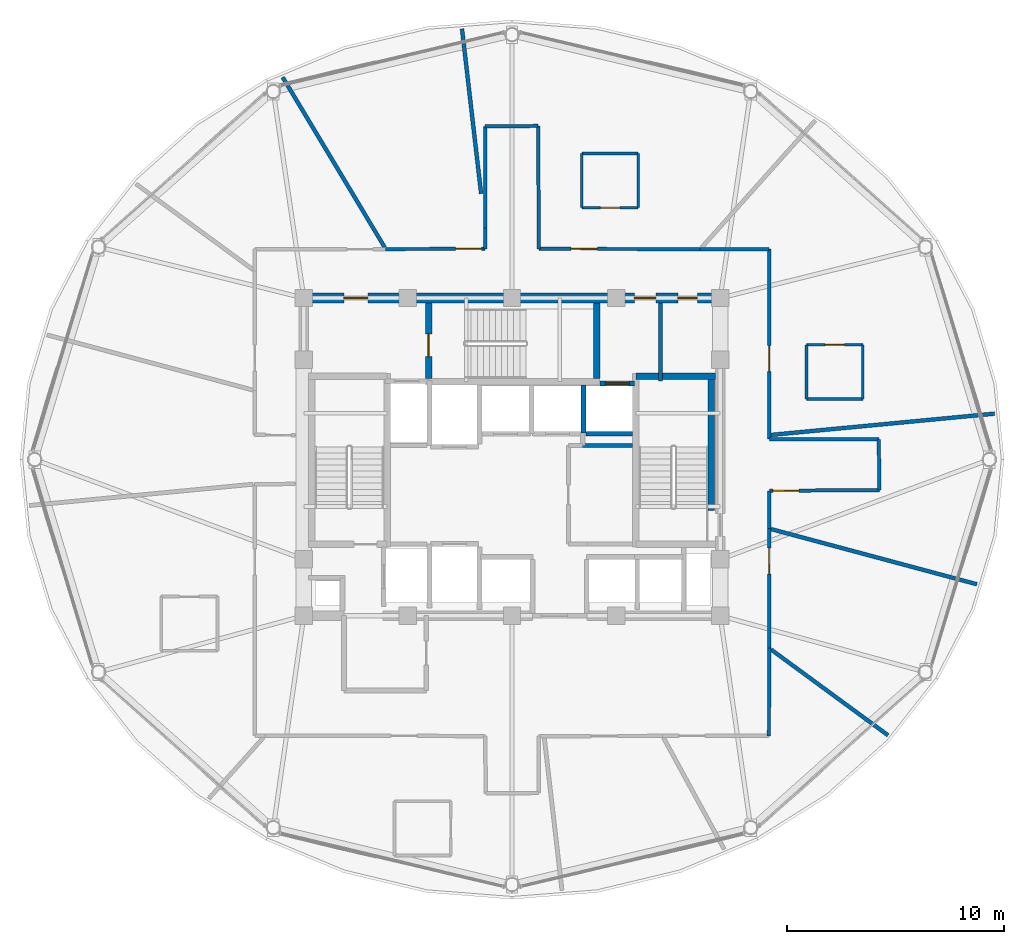
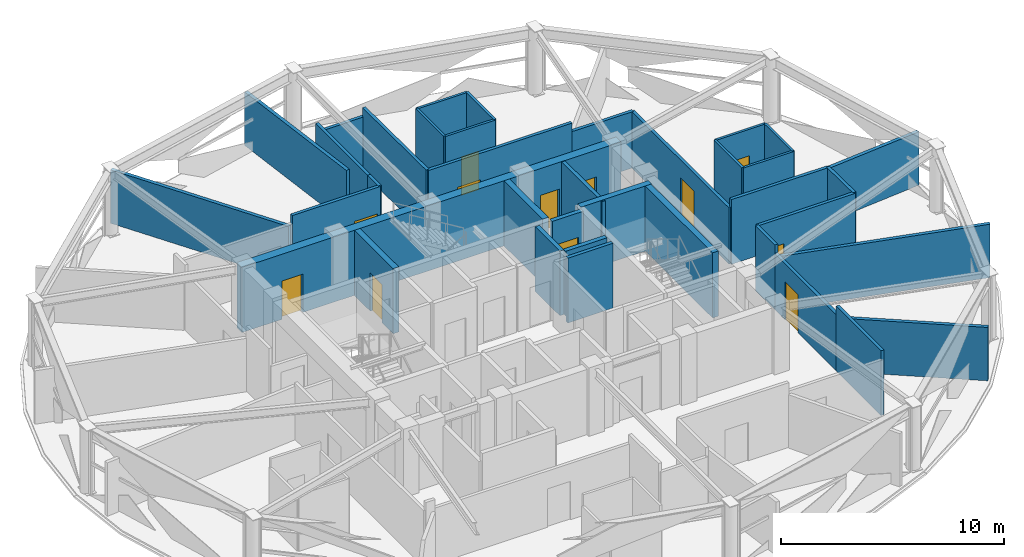
# One storey, part 23 of 28: 37 walls, 12 doors, 12 openings.
"""IFC4 building model written with IfcOpenShell, lengths in metres."""

from ifc_helpers import new_model, si_unit, direction, frame, frame_2d, origin, place, context, subcontext, project, spatial, rectangle, extrude, material, layer, layer_set, type_object, element, fill, save


model = new_model("IFC4")

# Units and contexts
model_context = context("Model", 3, precision=1e-05, world=origin(), true_north=direction((0.0, 1.0)))
body_context = subcontext(model_context, "Body", "Model", "MODEL_VIEW")
ifc_project = project(units=[si_unit("LENGTHUNIT", "METRE"), si_unit("AREAUNIT", "SQUARE_METRE"), si_unit("VOLUMEUNIT", "CUBIC_METRE"), si_unit("PLANEANGLEUNIT", "RADIAN"), si_unit("MASSUNIT", "GRAM", prefix="KILO")], contexts=[model_context])

# Site, building, storey
site_placement = place(None, origin())
site = spatial("IfcSite", under=ifc_project, at=site_placement, CompositionType="ELEMENT")
building_placement = place(site_placement, origin())
building = spatial("IfcBuilding", under=site, at=building_placement, Name="Vantalir Tower", CompositionType="ELEMENT")
storey_placement = place(building_placement, frame((0.0, 0.0, 223.64990234375)))
storey = spatial("IfcBuildingStorey", under=building, at=storey_placement, Name="L56", CompositionType="ELEMENT", Elevation=223.64990234375)

# Wall
ifc_material_1 = material(Name="Moisture-resistant en-suite partition", Category="gypsum")
ifc_layer_1 = layer(ifc_material_1, 0.125)
ifc_layer_set_1 = layer_set([ifc_layer_1], Name="Moisture-resistant en-suite partition")
wall_type_1 = type_object("IfcWallType", Name="WL-BATH-125", PredefinedType="PARTITIONING", material=ifc_layer_set_1)
wall_1_placement = place(storey_placement, frame((45.077880859375, 27.7890625, 0.0), z_axis=(0.0, 0.0, 1.0), x_axis=(1.0, 0.0, 0.0)))
element("IfcWall", 1, at=wall_1_placement, inside=storey, type_object=wall_type_1, Name="L56 En-suite 01 South Wall", PredefinedType="PARTITIONING", context=body_context, shape_type="SweptSolid", body=[
    extrude(rectangle(XDim=2.60009765625, YDim=0.125, at=frame_2d((1.300048828125, 0.0))), origin(), (0.0, 0.0, 1.0), 3.550048828125),
])

# Wall, opening, door
wall_2_placement = place(storey_placement, frame((45.077880859375, 30.2890625, 0.0), z_axis=(0.0, 0.0, 1.0), x_axis=(1.0, 0.0, 0.0)))
wall_2 = element("IfcWall", 2, at=wall_2_placement, inside=storey, type_object=wall_type_1, Name="L56 En-suite 01 North Wall", PredefinedType="PARTITIONING", context=body_context, shape_type="SweptSolid", body=[
    extrude(rectangle(XDim=2.60009765625, YDim=0.125, at=frame_2d((1.300048828125, 0.0))), origin(), (0.0, 0.0, 1.0), 3.550048828125),
])
opening_1_placement = place(wall_2_placement, frame((0.85009765625, 0.0, 0.0)))
opening_1 = element("IfcOpeningElement", 3, at=opening_1_placement, cuts=wall_2, Name="Opening D-WC", PredefinedType="OPENING", context=body_context, shape_type="SweptSolid", body=[
    extrude(rectangle(XDim=0.89990234375, YDim=2.10009765625, at=frame_2d((0.449951171875, 1.050048828125))), frame((0.0, 0.072509765625, 0.0), z_axis=(0.0, -1.0, 0.0), x_axis=(1.0, 0.0, 0.0)), (0.0, 0.0, 1.0), 0.14501953125),
])
ifc_material_2 = material(Name="Moisture-resistant hardwood door", Category="wood")
door_type_1 = type_object("IfcDoorType", Name="DR-ENSUITE-900", OperationType="NOTDEFINED", PredefinedType="DOOR", material=ifc_material_2)
door_1_placement = place(opening_1_placement, frame((0.89990234375, 0.0, 0.0), z_axis=(0.0, 0.0, 1.0), x_axis=(-1.0, 0.0, 0.0)))
door_1 = element("IfcDoor", 4, at=door_1_placement, inside=storey, type_object=door_type_1, Name="L56 En-suite 01 Door", OperationType="SINGLE_SWING_RIGHT", OverallHeight=2.10009765625, OverallWidth=0.89990234375, PredefinedType="DOOR", context=body_context, shape_type="SweptSolid", body=[
    extrude(rectangle(XDim=0.89990234375, YDim=2.10009765625, at=frame_2d((0.449951171875, 1.050048828125))), frame((0.0, 0.02490234375, 0.0), z_axis=(0.0, -1.0, 0.0), x_axis=(1.0, 0.0, 0.0)), (0.0, 0.0, 1.0), 0.050048828125),
])
fill(opening_1, door_1)

# Walls
for number, where, z_axis, x_axis, name in (
    (5, (45.077880859375, 27.7890625, 0.0), (0.0, 0.0, 1.0), (0.0, 1.0, 0.0), "L56 En-suite 01 West Wall"),
    (6, (47.677978515625, 27.7890625, 0.0), (0.0, 0.0, 1.0), (0.0, 1.0, 0.0), "L56 En-suite 01 East Wall"),
):
    element("IfcWall", number, at=place(storey_placement, frame(where, z_axis=z_axis, x_axis=x_axis)), inside=storey, type_object=wall_type_1, Name=name, PredefinedType="PARTITIONING", context=body_context, shape_type="SweptSolid", body=[
        extrude(rectangle(XDim=2.5, YDim=0.125, at=frame_2d((1.25, 0.0))), origin(), (0.0, 0.0, 1.0), 3.550048828125),
    ])

# Wall, opening, door
wall_3_placement = place(storey_placement, frame((34.720947265625, 36.614990234375, 0.0), z_axis=(0.0, 0.0, 1.0), x_axis=(1.0, 0.0, 0.0)))
wall_3 = element("IfcWall", 7, at=wall_3_placement, inside=storey, type_object=wall_type_1, Name="L56 En-suite 02 South Wall", PredefinedType="PARTITIONING", context=body_context, shape_type="SweptSolid", body=[
    extrude(rectangle(XDim=2.60009765625, YDim=0.125, at=frame_2d((1.300048828125, 0.0))), origin(), (0.0, 0.0, 1.0), 3.550048828125),
])
opening_2_placement = place(wall_3_placement, frame((0.85009765625, 0.0, 0.0)))
opening_2 = element("IfcOpeningElement", 8, at=opening_2_placement, cuts=wall_3, Name="Opening D-WC", PredefinedType="OPENING", context=body_context, shape_type="SweptSolid", body=[
    extrude(rectangle(XDim=0.89990234375, YDim=2.10009765625, at=frame_2d((0.449951171875, 1.050048828125))), frame((0.0, 0.072509765625, 0.0), z_axis=(0.0, -1.0, 0.0), x_axis=(1.0, 0.0, 0.0)), (0.0, 0.0, 1.0), 0.14501953125),
])
door_2_placement = place(opening_2_placement, origin())
door_2 = element("IfcDoor", 9, at=door_2_placement, inside=storey, type_object=door_type_1, Name="L56 En-suite 02 Door", OperationType="SINGLE_SWING_LEFT", OverallHeight=2.10009765625, OverallWidth=0.89990234375, PredefinedType="DOOR", context=body_context, shape_type="SweptSolid", body=[
    extrude(rectangle(XDim=0.89990234375, YDim=2.10009765625, at=frame_2d((0.449951171875, 1.050048828125))), frame((0.0, 0.02490234375, 0.0), z_axis=(0.0, -1.0, 0.0), x_axis=(1.0, 0.0, 0.0)), (0.0, 0.0, 1.0), 0.050048828125),
])
fill(opening_2, door_2)

# Walls
wall_4_placement = place(storey_placement, frame((34.720947265625, 39.114990234375, 0.0), z_axis=(0.0, 0.0, 1.0), x_axis=(1.0, 0.0, 0.0)))
element("IfcWall", 10, at=wall_4_placement, inside=storey, type_object=wall_type_1, Name="L56 En-suite 02 North Wall", PredefinedType="PARTITIONING", context=body_context, shape_type="SweptSolid", body=[
    extrude(rectangle(XDim=2.60009765625, YDim=0.125, at=frame_2d((1.300048828125, 0.0))), origin(), (0.0, 0.0, 1.0), 3.550048828125),
])
for number, where, z_axis, x_axis, name in (
    (11, (34.720947265625, 36.614990234375, 0.0), (0.0, 0.0, 1.0), (0.0, 1.0, 0.0), "L56 En-suite 02 West Wall"),
    (12, (37.321044921875, 36.614990234375, 0.0), (0.0, 0.0, 1.0), (0.0, 1.0, 0.0), "L56 En-suite 02 East Wall"),
):
    element("IfcWall", number, at=place(storey_placement, frame(where, z_axis=z_axis, x_axis=x_axis)), inside=storey, type_object=wall_type_1, Name=name, PredefinedType="PARTITIONING", context=body_context, shape_type="SweptSolid", body=[
        extrude(rectangle(XDim=2.5, YDim=0.125, at=frame_2d((1.25, 0.0))), origin(), (0.0, 0.0, 1.0), 3.550048828125),
    ])

# Wall, openings, doors
ifc_material_3 = material(Name="Concrete C50/60", Category="concrete")
ifc_layer_2 = layer(ifc_material_3, 0.449951171875)
ifc_layer_set_2 = layer_set([ifc_layer_2], Name="Concrete C50/60")
wall_type_2 = type_object("IfcWallType", Name="WL-CORE-450", PredefinedType="SHEAR", material=ifc_layer_set_2)
wall_5_placement = place(storey_placement, frame((21.675048828125, 32.449951171875, 0.0), z_axis=(0.0, 0.0, 1.0), x_axis=(1.0, 0.0, 0.0)))
wall_5 = element("IfcWall", 13, at=wall_5_placement, inside=storey, type_object=wall_type_2, Name="L56 Core Shear Wall North", PredefinedType="SHEAR", context=body_context, shape_type="SweptSolid", body=[
    extrude(rectangle(XDim=19.64990234375, YDim=0.449951171875, at=frame_2d((9.824951171875, 0.0))), origin(), (0.0, 0.0, 1.0), 3.570068359375),
])
opening_3_placement = place(wall_5_placement, frame((2.074951171875, 0.0, 0.0)))
opening_3 = element("IfcOpeningElement", 14, at=opening_3_placement, cuts=wall_5, Name="Opening D-FFL", PredefinedType="OPENING", context=body_context, shape_type="SweptSolid", body=[
    extrude(rectangle(XDim=1.10009765625, YDim=2.10009765625, at=frame_2d((0.550048828125, 1.050048828125))), frame((0.0, 0.23486328125, 0.0), z_axis=(0.0, -1.0, 0.0), x_axis=(1.0, 0.0, 0.0)), (0.0, 0.0, 1.0), 0.469970703125),
])
opening_4_placement = place(wall_5_placement, frame((15.465087890625, 0.0, 0.0)))
opening_4 = element("IfcOpeningElement", 15, at=opening_4_placement, cuts=wall_5, Name="Opening D-GUEST", PredefinedType="OPENING", context=body_context, shape_type="SweptSolid", body=[
    extrude(rectangle(XDim=1.0, YDim=2.10009765625, at=frame_2d((0.5, 1.050048828125))), frame((0.0, 0.23486328125, 0.0), z_axis=(0.0, -1.0, 0.0), x_axis=(1.0, 0.0, 0.0)), (0.0, 0.0, 1.0), 0.469970703125),
])
opening_5_placement = place(wall_5_placement, frame((17.47509765625, 0.0, 0.0)))
opening_5 = element("IfcOpeningElement", 16, at=opening_5_placement, cuts=wall_5, Name="Opening D-CR", PredefinedType="OPENING", context=body_context, shape_type="SweptSolid", body=[
    extrude(rectangle(XDim=0.89990234375, YDim=2.10009765625, at=frame_2d((0.449951171875, 1.050048828125))), frame((0.0, 0.23486328125, 0.0), z_axis=(0.0, -1.0, 0.0), x_axis=(1.0, 0.0, 0.0)), (0.0, 0.0, 1.0), 0.469970703125),
])
ifc_material_4 = material(Name="Fire-rated steel core service door", Category="steel")
door_type_2 = type_object("IfcDoorType", Name="DR-CORE-SERV-900", OperationType="NOTDEFINED", PredefinedType="DOOR", material=ifc_material_4)
door_3_placement = place(opening_5_placement, frame((0.89990234375, 0.0, 0.0), z_axis=(0.0, 0.0, 1.0), x_axis=(-1.0, 0.0, 0.0)))
door_3 = element("IfcDoor", 17, at=door_3_placement, inside=storey, type_object=door_type_2, Name="L56 Housekeeping and Linen Room Door", OperationType="SINGLE_SWING_RIGHT", OverallHeight=2.10009765625, OverallWidth=0.89990234375, PredefinedType="DOOR", context=body_context, shape_type="SweptSolid", body=[
    extrude(rectangle(XDim=0.89990234375, YDim=2.10009765625, at=frame_2d((0.449951171875, 1.050048828125))), frame((0.0, 0.02490234375, 0.0), z_axis=(0.0, -1.0, 0.0), x_axis=(1.0, 0.0, 0.0)), (0.0, 0.0, 1.0), 0.050048828125),
])
fill(opening_5, door_3)
ifc_material_5 = material(Name="Fire-rated acoustic steel door", Category="steel")
door_type_3 = type_object("IfcDoorType", Name="DR-FIRE-LOBBY-1100", OperationType="NOTDEFINED", PredefinedType="DOOR", material=ifc_material_5)
door_4_placement = place(opening_3_placement, frame((1.10009765625, 0.0, 0.0), z_axis=(0.0, 0.0, 1.0), x_axis=(-1.0, 0.0, 0.0)))
door_4 = element("IfcDoor", 18, at=door_4_placement, inside=storey, type_object=door_type_3, Name="L56 Firefighting Lobby East Access Door", OperationType="SINGLE_SWING_RIGHT", OverallHeight=2.10009765625, OverallWidth=1.10009765625, PredefinedType="DOOR", context=body_context, shape_type="SweptSolid", body=[
    extrude(rectangle(XDim=1.10009765625, YDim=2.10009765625, at=frame_2d((0.550048828125, 1.050048828125))), frame((0.0, 0.02490234375, 0.0), z_axis=(0.0, -1.0, 0.0), x_axis=(1.0, 0.0, 0.0)), (0.0, 0.0, 1.0), 0.050048828125),
])
fill(opening_3, door_4)
ifc_material_6 = material(Name="Solid-core teak veneer acoustic fire door", Category="wood")
door_type_4 = type_object("IfcDoorType", Name="DR-GUEST-ENTRY-1000", OperationType="NOTDEFINED", PredefinedType="DOOR", material=ifc_material_6)
door_5_placement = place(opening_4_placement, frame((1.0, 0.0, 0.0), z_axis=(0.0, 0.0, 1.0), x_axis=(-1.0, 0.0, 0.0)))
door_5 = element("IfcDoor", 19, at=door_5_placement, inside=storey, type_object=door_type_4, Name="L56 High-Rise Lift Lobby Door", OperationType="SINGLE_SWING_LEFT", OverallHeight=2.10009765625, OverallWidth=1.0, PredefinedType="DOOR", context=body_context, shape_type="SweptSolid", body=[
    extrude(rectangle(XDim=1.0, YDim=2.10009765625, at=frame_2d((0.5, 1.050048828125))), frame((0.0, 0.02490234375, 0.0), z_axis=(0.0, -1.0, 0.0), x_axis=(1.0, 0.0, 0.0)), (0.0, 0.0, 1.0), 0.050048828125),
])
fill(opening_4, door_5)

# Wall, opening, door
ifc_material_7 = material(Name="Fire-rated hotel corridor acoustic partition", Category="gypsum")
ifc_layer_3 = layer(ifc_material_7, 0.159912109375)
ifc_layer_set_3 = layer_set([ifc_layer_3], Name="Fire-rated hotel corridor acoustic partition")
wall_type_3 = type_object("IfcWallType", Name="WL-CORR-160", PredefinedType="PARTITIONING", material=ifc_layer_set_3)
wall_6_placement = place(storey_placement, frame((25.677978515625, 34.708984375, 0.0), z_axis=(0.0, 0.0, 1.0), x_axis=(0.999999112817, 0.001332053379, 0.0)))
wall_6 = element("IfcWall", 20, at=wall_6_placement, inside=storey, type_object=wall_type_3, Name="L56 Corridor Partition 06", PredefinedType="PARTITIONING", context=body_context, shape_type="SweptSolid", body=[
    extrude(rectangle(XDim=4.58203125, YDim=0.159912109375, at=frame_2d((2.291015625, 0.0))), origin(), (0.0, 0.0, 1.0), 3.550048828125),
])
opening_6_placement = place(wall_6_placement, frame((3.221923828125, 0.0, 0.0)))
opening_6 = element("IfcOpeningElement", 21, at=opening_6_placement, cuts=wall_6, Name="Opening D-STE", PredefinedType="OPENING", context=body_context, shape_type="SweptSolid", body=[
    extrude(rectangle(XDim=1.199951171875, YDim=2.10009765625, at=frame_2d((0.60009765625, 1.050048828125))), frame((0.0, 0.08984375, 0.0), z_axis=(0.0, -1.0, 0.0), x_axis=(1.0, 0.0, 0.0)), (0.0, 0.0, 1.0), 0.179931640625),
])
ifc_material_8 = material(Name="Solid-core teak veneer suite entrance door", Category="wood")
door_type_5 = type_object("IfcDoorType", Name="DR-SUITE-ENTRY-1200", OperationType="NOTDEFINED", PredefinedType="DOOR", material=ifc_material_8)
door_6_placement = place(opening_6_placement, origin())
door_6 = element("IfcDoor", 22, at=door_6_placement, inside=storey, type_object=door_type_5, Name="L56 Club Reading Lounge 03 Door", OperationType="SINGLE_SWING_LEFT", OverallHeight=2.10009765625, OverallWidth=1.199951171875, PredefinedType="DOOR", context=body_context, shape_type="SweptSolid", body=[
    extrude(rectangle(XDim=1.199951171875, YDim=2.10009765625, at=frame_2d((0.60009765625, 1.050048828125))), frame((0.0, 0.02490234375, 0.0), z_axis=(0.0, -1.0, 0.0), x_axis=(1.0, 0.0, 0.0)), (0.0, 0.0, 1.0), 0.050048828125),
])
fill(opening_6, door_6)

# Walls
wall_7_placement = place(storey_placement, frame((30.260009765625, 34.715087890625, 0.0), z_axis=(0.0, 0.0, 1.0), x_axis=(0.001014198261, 0.999999485701, 0.0)))
element("IfcWall", 23, at=wall_7_placement, inside=storey, type_object=wall_type_3, Name="L56 Corridor Partition 07", PredefinedType="PARTITIONING", context=body_context, shape_type="SweptSolid", body=[
    extrude(rectangle(XDim=0.962890625, YDim=0.159912109375, at=frame_2d((0.4814453125, 0.0))), origin(), (0.0, 0.0, 1.0), 3.550048828125),
])
wall_8_placement = place(storey_placement, frame((30.260986328125, 35.677978515625, 0.0), z_axis=(0.0, 0.0, 1.0), x_axis=(0.000417057622, 0.999999913031, 0.0)))
element("IfcWall", 24, at=wall_8_placement, inside=storey, type_object=wall_type_3, Name="L56 Corridor Partition 08", PredefinedType="PARTITIONING", context=body_context, shape_type="SweptSolid", body=[
    extrude(rectangle(XDim=4.68310546875, YDim=0.159912109375, at=frame_2d((2.341552734375, 0.0))), origin(), (0.0, 0.0, 1.0), 3.550048828125),
])
wall_9_placement = place(storey_placement, frame((30.262939453125, 40.361083984375, 0.0), z_axis=(0.0, 0.0, 1.0), x_axis=(0.999947973655, 0.01020048938, 0.0)))
element("IfcWall", 25, at=wall_9_placement, inside=storey, type_object=wall_type_3, Name="L56 Corridor Partition 09", PredefinedType="PARTITIONING", context=body_context, shape_type="SweptSolid", body=[
    extrude(rectangle(XDim=2.44140625, YDim=0.159912109375, at=frame_2d((1.220703125, 0.0))), origin(), (0.0, 0.0, 1.0), 3.0810546875),
])
wall_10_placement = place(storey_placement, frame((32.7041015625, 40.385986328125, 0.0), z_axis=(0.0, 0.0, 1.0), x_axis=(0.00632844224, -0.999979975209, 0.0)))
element("IfcWall", 26, at=wall_10_placement, inside=storey, type_object=wall_type_3, Name="L56 Corridor Partition 10", PredefinedType="PARTITIONING", context=body_context, shape_type="SweptSolid", body=[
    extrude(rectangle(XDim=5.6708984375, YDim=0.159912109375, at=frame_2d((2.83544921875, 0.0))), origin(), (0.0, 0.0, 1.0), 3.550048828125),
])

# Wall, opening, door
wall_11_placement = place(storey_placement, frame((32.739990234375, 34.715087890625, 0.0), z_axis=(0.0, 0.0, 1.0), x_axis=(0.999999413829, -0.001082747577, 0.0)))
wall_11 = element("IfcWall", 27, at=wall_11_placement, inside=storey, type_object=wall_type_3, Name="L56 Corridor Partition 11", PredefinedType="PARTITIONING", context=body_context, shape_type="SweptSolid", body=[
    extrude(rectangle(XDim=7.44091796875, YDim=0.159912109375, at=frame_2d((3.720458984375, 0.0))), origin(), (0.0, 0.0, 1.0), 3.550048828125),
])
opening_7_placement = place(wall_11_placement, frame((1.491943359375, 0.0, 0.0)))
opening_7 = element("IfcOpeningElement", 28, at=opening_7_placement, cuts=wall_11, Name="Opening D-STE", PredefinedType="OPENING", context=body_context, shape_type="SweptSolid", body=[
    extrude(rectangle(XDim=1.199951171875, YDim=2.10009765625, at=frame_2d((0.60009765625, 1.050048828125))), frame((0.0, 0.08984375, 0.0), z_axis=(0.0, -1.0, 0.0), x_axis=(1.0, 0.0, 0.0)), (0.0, 0.0, 1.0), 0.179931640625),
])
door_7_placement = place(opening_7_placement, origin())
door_7 = element("IfcDoor", 29, at=door_7_placement, inside=storey, type_object=door_type_5, Name="L56 Executive Club Hotel Suite 02 Door", OperationType="SINGLE_SWING_RIGHT", OverallHeight=2.10009765625, OverallWidth=1.199951171875, PredefinedType="DOOR", context=body_context, shape_type="SweptSolid", body=[
    extrude(rectangle(XDim=1.199951171875, YDim=2.10009765625, at=frame_2d((0.60009765625, 1.050048828125))), frame((0.0, 0.02490234375, 0.0), z_axis=(0.0, -1.0, 0.0), x_axis=(1.0, 0.0, 0.0)), (0.0, 0.0, 1.0), 0.050048828125),
])
fill(opening_7, door_7)

# Wall
wall_12_placement = place(storey_placement, frame((40.180908203125, 34.70703125, 0.0), z_axis=(0.0, 0.0, 1.0), x_axis=(0.99999914405, -0.001308395709, 0.0)))
element("IfcWall", 30, at=wall_12_placement, inside=storey, type_object=wall_type_3, Name="L56 Corridor Partition 12", PredefinedType="PARTITIONING", context=body_context, shape_type="SweptSolid", body=[
    extrude(rectangle(XDim=3.172119140625, YDim=0.159912109375, at=frame_2d((1.5859375, 0.0))), origin(), (0.0, 0.0, 1.0), 3.0810546875),
])

# Wall, opening, door
wall_13_placement = place(storey_placement, frame((43.35302734375, 34.702880859375, 0.0), z_axis=(0.0, 0.0, 1.0), x_axis=(0.001365167424, -0.999999068159, 0.0)))
wall_13 = element("IfcWall", 31, at=wall_13_placement, inside=storey, type_object=wall_type_3, Name="L56 Corridor Partition 13", PredefinedType="PARTITIONING", context=body_context, shape_type="SweptSolid", body=[
    extrude(rectangle(XDim=8.762939453125, YDim=0.159912109375, at=frame_2d((4.38134765625, 0.0))), origin(), (0.0, 0.0, 1.0), 3.0810546875),
])
opening_8_placement = place(wall_13_placement, frame((4.447021484375, 0.0, 0.0)))
opening_8 = element("IfcOpeningElement", 32, at=opening_8_placement, cuts=wall_13, Name="Opening D-STE", PredefinedType="OPENING", context=body_context, shape_type="SweptSolid", body=[
    extrude(rectangle(XDim=1.199951171875, YDim=2.10009765625, at=frame_2d((0.60009765625, 1.050048828125))), frame((0.0, 0.08984375, 0.0), z_axis=(0.0, -1.0, 0.0), x_axis=(1.0, 0.0, 0.0)), (0.0, 0.0, 1.0), 0.179931640625),
])
door_8_placement = place(opening_8_placement, origin())
door_8 = element("IfcDoor", 33, at=door_8_placement, inside=storey, type_object=door_type_5, Name="L56 Corner Panorama Hotel Suite 01 Door", OperationType="SINGLE_SWING_LEFT", OverallHeight=2.10009765625, OverallWidth=1.199951171875, PredefinedType="DOOR", context=body_context, shape_type="SweptSolid", body=[
    extrude(rectangle(XDim=1.199951171875, YDim=2.10009765625, at=frame_2d((0.60009765625, 1.050048828125))), frame((0.0, 0.02490234375, 0.0), z_axis=(0.0, -1.0, 0.0), x_axis=(1.0, 0.0, 0.0)), (0.0, 0.0, 1.0), 0.050048828125),
])
fill(opening_8, door_8)

# Walls
wall_14_placement = place(storey_placement, frame((43.364990234375, 25.93994140625, 0.0), z_axis=(0.0, 0.0, 1.0), x_axis=(0.999999831724, -0.000580130432, 0.0)))
element("IfcWall", 34, at=wall_14_placement, inside=storey, type_object=wall_type_3, Name="L56 Corridor Partition 14", PredefinedType="PARTITIONING", context=body_context, shape_type="SweptSolid", body=[
    extrude(rectangle(XDim=5.050048828125, YDim=0.159912109375, at=frame_2d((2.52490234375, 0.0))), origin(), (0.0, 0.0, 1.0), 3.550048828125),
])
wall_15_placement = place(storey_placement, frame((48.4150390625, 25.93701171875, 0.0), z_axis=(0.0, 0.0, 1.0), x_axis=(0.010636586698, -0.999943429912, 0.0)))
element("IfcWall", 35, at=wall_15_placement, inside=storey, type_object=wall_type_3, Name="L56 Corridor Partition 15", PredefinedType="PARTITIONING", context=body_context, shape_type="SweptSolid", body=[
    extrude(rectangle(XDim=2.34130859375, YDim=0.159912109375, at=frame_2d((1.170654296875, 0.0))), origin(), (0.0, 0.0, 1.0), 3.550048828125),
])

# Wall, opening, door
wall_16_placement = place(storey_placement, frame((48.43994140625, 23.595947265625, 0.0), z_axis=(0.0, 0.0, 1.0), x_axis=(-0.999974996273, -0.007071550702, 0.0)))
wall_16 = element("IfcWall", 36, at=wall_16_placement, inside=storey, type_object=wall_type_3, Name="L56 Corridor Partition 16", PredefinedType="PARTITIONING", context=body_context, shape_type="SweptSolid", body=[
    extrude(rectangle(XDim=5.0751953125, YDim=0.159912109375, at=frame_2d((2.53759765625, 0.0))), origin(), (0.0, 0.0, 1.0), 3.550048828125),
])
opening_9_placement = place(wall_16_placement, frame((3.715087890625, 0.0, 0.0)))
opening_9 = element("IfcOpeningElement", 37, at=opening_9_placement, cuts=wall_16, Name="Opening D-STE", PredefinedType="OPENING", context=body_context, shape_type="SweptSolid", body=[
    extrude(rectangle(XDim=1.199951171875, YDim=2.10009765625, at=frame_2d((0.60009765625, 1.050048828125))), frame((0.0, 0.08984375, 0.0), z_axis=(0.0, -1.0, 0.0), x_axis=(1.0, 0.0, 0.0)), (0.0, 0.0, 1.0), 0.179931640625),
])
door_9_placement = place(opening_9_placement, origin())
door_9 = element("IfcDoor", 38, at=door_9_placement, inside=storey, type_object=door_type_5, Name="L56 Executive Sky Boardroom 12 Door", OperationType="SINGLE_SWING_RIGHT", OverallHeight=2.10009765625, OverallWidth=1.199951171875, PredefinedType="DOOR", context=body_context, shape_type="SweptSolid", body=[
    extrude(rectangle(XDim=1.199951171875, YDim=2.10009765625, at=frame_2d((0.60009765625, 1.050048828125))), frame((0.0, 0.02490234375, 0.0), z_axis=(0.0, -1.0, 0.0), x_axis=(1.0, 0.0, 0.0)), (0.0, 0.0, 1.0), 0.050048828125),
])
fill(opening_9, door_9)

# Wall
wall_17_placement = place(storey_placement, frame((43.364990234375, 23.56005859375, 0.0), z_axis=(0.0, 0.0, 1.0), x_axis=(-0.001121232652, -0.999999371418, 0.0)))
element("IfcWall", 39, at=wall_17_placement, inside=storey, type_object=wall_type_3, Name="L56 Corridor Partition 17", PredefinedType="PARTITIONING", context=body_context, shape_type="SweptSolid", body=[
    extrude(rectangle(XDim=1.741943359375, YDim=0.159912109375, at=frame_2d((0.87109375, 0.0))), origin(), (0.0, 0.0, 1.0), 3.550048828125),
])

# Wall, opening, door
wall_18_placement = place(storey_placement, frame((43.363037109375, 21.818115234375, 0.0), z_axis=(0.0, 0.0, 1.0), x_axis=(-0.001284662712, -0.999999174821, 0.0)))
wall_18 = element("IfcWall", 40, at=wall_18_placement, inside=storey, type_object=wall_type_3, Name="L56 Corridor Partition 18", PredefinedType="PARTITIONING", context=body_context, shape_type="SweptSolid", body=[
    extrude(rectangle(XDim=5.51123046875, YDim=0.159912109375, at=frame_2d((2.755615234375, 0.0))), origin(), (0.0, 0.0, 1.0), 3.0810546875),
])
opening_10_placement = place(wall_18_placement, frame((0.89892578125, 0.0, 0.0)))
opening_10 = element("IfcOpeningElement", 41, at=opening_10_placement, cuts=wall_18, Name="Opening D-STE", PredefinedType="OPENING", context=body_context, shape_type="SweptSolid", body=[
    extrude(rectangle(XDim=1.199951171875, YDim=2.10009765625, at=frame_2d((0.60009765625, 1.050048828125))), frame((0.0, 0.08984375, 0.0), z_axis=(0.0, -1.0, 0.0), x_axis=(1.0, 0.0, 0.0)), (0.0, 0.0, 1.0), 0.179931640625),
])
door_10_placement = place(opening_10_placement, origin())
door_10 = element("IfcDoor", 42, at=door_10_placement, inside=storey, type_object=door_type_5, Name="L56 Club Reading Lounge 11 Door", OperationType="SINGLE_SWING_LEFT", OverallHeight=2.10009765625, OverallWidth=1.199951171875, PredefinedType="DOOR", context=body_context, shape_type="SweptSolid", body=[
    extrude(rectangle(XDim=1.199951171875, YDim=2.10009765625, at=frame_2d((0.60009765625, 1.050048828125))), frame((0.0, 0.02490234375, 0.0), z_axis=(0.0, -1.0, 0.0), x_axis=(1.0, 0.0, 0.0)), (0.0, 0.0, 1.0), 0.050048828125),
])
fill(opening_10, door_10)

# Walls
wall_19_placement = place(storey_placement, frame((43.35595703125, 16.306884765625, 0.0), z_axis=(0.0, 0.0, 1.0), x_axis=(-0.001447525625, -0.999998952334, 0.0)))
element("IfcWall", 43, at=wall_19_placement, inside=storey, type_object=wall_type_3, Name="L56 Corridor Partition 19", PredefinedType="PARTITIONING", context=body_context, shape_type="SweptSolid", body=[
    extrude(rectangle(XDim=4.0478515625, YDim=0.159912109375, at=frame_2d((2.02392578125, 0.0))), origin(), (0.0, 0.0, 1.0), 3.550048828125),
])
ifc_material_9 = material(Name="Concrete blockwork with fireboard lining", Category="masonry")
ifc_layer_4 = layer(ifc_material_9, 0.219970703125)
ifc_layer_set_4 = layer_set([ifc_layer_4], Name="Concrete blockwork with fireboard lining")
wall_type_4 = type_object("IfcWallType", Name="WL-FFL-220", PredefinedType="PARTITIONING", material=ifc_layer_set_4)
wall_20_placement = place(storey_placement, frame((34.800048828125, 26.22998046875, 0.0), z_axis=(0.0, 0.0, 1.0), x_axis=(0.0, 1.0, 0.0)))
element("IfcWall", 44, at=wall_20_placement, inside=storey, type_object=wall_type_4, Name="L56 High-Rise Lift PL-H2/H3 Shaft Divider", PredefinedType="PARTITIONING", context=body_context, shape_type="SweptSolid", body=[
    extrude(rectangle(XDim=2.2099609375, YDim=0.219970703125, at=frame_2d((1.10498046875, 0.0))), origin(), (0.0, 0.0, 1.0), 3.545166015625),
])
wall_21_placement = place(storey_placement, frame((34.909912109375, 26.18994140625, 0.0), z_axis=(0.0, 0.0, 1.0), x_axis=(1.0, 0.0, 0.0)))
element("IfcWall", 45, at=wall_21_placement, inside=storey, type_object=wall_type_4, Name="L56 High-Rise Lift PL-H3 Rear Shaft Wall", PredefinedType="PARTITIONING", context=body_context, shape_type="SweptSolid", body=[
    extrude(rectangle(XDim=2.14013671875, YDim=0.219970703125, at=frame_2d((1.070068359375, 0.0))), origin(), (0.0, 0.0, 1.0), 3.545166015625),
])

# Wall, opening, door
wall_22_placement = place(storey_placement, frame((35.56005859375, 28.510009765625, 0.0), z_axis=(0.0, 0.0, 1.0), x_axis=(1.0, 0.0, 0.0)))
wall_22 = element("IfcWall", 46, at=wall_22_placement, inside=storey, type_object=wall_type_4, Name="L56 Lift PL-H3 Shaft Front Wall", PredefinedType="PARTITIONING", context=body_context, shape_type="SweptSolid", body=[
    extrude(rectangle(XDim=1.599853515625, YDim=0.219970703125, at=frame_2d((0.7998046875, 0.0))), origin(), (0.0, 0.0, 1.0), 3.550048828125),
])
opening_11_placement = place(wall_22_placement, frame((0.25, 0.0, 0.0)))
opening_11 = element("IfcOpeningElement", 47, at=opening_11_placement, cuts=wall_22, Name="Opening LD-PL-H3", PredefinedType="OPENING", context=body_context, shape_type="SweptSolid", body=[
    extrude(rectangle(XDim=1.10009765625, YDim=2.199951171875, at=frame_2d((0.550048828125, 1.10009765625))), frame((0.0, 0.119873046875, 0.0), z_axis=(0.0, -1.0, 0.0), x_axis=(1.0, 0.0, 0.0)), (0.0, 0.0, 1.0), 0.239990234375),
])
ifc_material_10 = material(Name="Brushed stainless-steel sliding lift landing door", Category="steel")
door_type_6 = type_object("IfcDoorType", Name="DR-LIFT-LANDING-1100", OperationType="DOUBLE_DOOR_SLIDING", PredefinedType="DOOR", material=ifc_material_10)
door_11_placement = place(opening_11_placement, origin())
door_11 = element("IfcDoor", 48, at=door_11_placement, inside=storey, type_object=door_type_6, Name="L56 Lift Landing Door PL-H3", OperationType="DOUBLE_DOOR_SLIDING", OverallHeight=2.199951171875, OverallWidth=1.10009765625, PredefinedType="DOOR", context=body_context, shape_type="SweptSolid", body=[
    extrude(rectangle(XDim=1.10009765625, YDim=2.199951171875, at=frame_2d((0.550048828125, 1.10009765625))), frame((0.0, 0.02490234375, 0.0), z_axis=(0.0, -1.0, 0.0), x_axis=(1.0, 0.0, 0.0)), (0.0, 0.0, 1.0), 0.050048828125),
])
fill(opening_11, door_11)

# Walls
ifc_material_11 = material(Name="Twin-stud acoustic fire-rated gypsum partition", Category="gypsum")
ifc_layer_5 = layer(ifc_material_11, 0.179931640625)
ifc_layer_set_5 = layer_set([ifc_layer_5], Name="Twin-stud acoustic fire-rated gypsum partition")
wall_type_5 = type_object("IfcWallType", Name="WL-GUEST-180", PredefinedType="PARTITIONING", material=ifc_layer_set_5)
wall_23_placement = place(storey_placement, frame((34.719970703125, 25.64990234375, 0.0), z_axis=(0.0, 0.0, 1.0), x_axis=(1.0, 0.0, 0.0)))
element("IfcWall", 49, at=wall_23_placement, inside=storey, type_object=wall_type_5, Name="L56 Freed East Core North Wall", PredefinedType="PARTITIONING", context=body_context, shape_type="SweptSolid", body=[
    extrude(rectangle(XDim=2.340087890625, YDim=0.179931640625, at=frame_2d((1.169921875, 0.0))), origin(), (0.0, 0.0, 1.0), 3.550048828125),
])
wall_24_placement = place(storey_placement, frame((38.340087890625, 28.6201171875, 0.0), z_axis=(0.0, 0.0, 1.0), x_axis=(0.0, 1.0, 0.0)))
element("IfcWall", 50, at=wall_24_placement, inside=storey, type_object=wall_type_5, Name="L56 High-Rise Lift Lobby East Wall", PredefinedType="PARTITIONING", context=body_context, shape_type="SweptSolid", body=[
    extrude(rectangle(XDim=3.60498046875, YDim=0.179931640625, at=frame_2d((1.802490234375, 0.0))), origin(), (0.0, 0.0, 1.0), 3.550048828125),
])
wall_25_placement = place(storey_placement, frame((43.43994140625, 26.135986328125, 0.0), z_axis=(0.0, 0.0, 1.0), x_axis=(0.995499495789, 0.094766839575, 0.0)))
element("IfcWall", 51, at=wall_25_placement, inside=storey, type_object=wall_type_5, Name="L56 Radial Suite Partition 01", PredefinedType="PARTITIONING", context=body_context, shape_type="SweptSolid", body=[
    extrude(rectangle(XDim=10.361572265625, YDim=0.179931640625, at=frame_2d((5.1806640625, 0.0))), origin(), (0.0, 0.0, 1.0), 2.925048828125),
])
wall_26_placement = place(storey_placement, frame((30.076904296875, 37.261962890625, 0.0), z_axis=(0.0, 0.0, 1.0), x_axis=(-0.115323762026, 0.993327956876, 0.0)))
element("IfcWall", 52, at=wall_26_placement, inside=storey, type_object=wall_type_5, Name="L56 Radial Suite Partition 03", PredefinedType="PARTITIONING", context=body_context, shape_type="SweptSolid", body=[
    extrude(rectangle(XDim=7.655029296875, YDim=0.179931640625, at=frame_2d((3.82763671875, 0.0))), origin(), (0.0, 0.0, 1.0), 2.925048828125),
])
wall_27_placement = place(storey_placement, frame((25.62890625, 34.7900390625, 0.0), z_axis=(0.0, 0.0, 1.0), x_axis=(-0.514260176144, 0.85763422928, 0.0)))
element("IfcWall", 53, at=wall_27_placement, inside=storey, type_object=wall_type_5, Name="L56 Radial Suite Partition 04", PredefinedType="PARTITIONING", context=body_context, shape_type="SweptSolid", body=[
    extrude(rectangle(XDim=9.14501953125, YDim=0.179931640625, at=frame_2d((4.572509765625, 0.0))), origin(), (0.0, 0.0, 1.0), 2.925048828125),
])
wall_28_placement = place(storey_placement, frame((43.43994140625, 16.2451171875, 0.0), z_axis=(0.0, 0.0, 1.0), x_axis=(0.806449032178, -0.591303609409, 0.0)))
element("IfcWall", 54, at=wall_28_placement, inside=storey, type_object=wall_type_5, Name="L56 Radial Suite Partition 11", PredefinedType="PARTITIONING", context=body_context, shape_type="SweptSolid", body=[
    extrude(rectangle(XDim=6.697509765625, YDim=0.179931640625, at=frame_2d((3.3486328125, 0.0))), origin(), (0.0, 0.0, 1.0), 2.925048828125),
])
wall_29_placement = place(storey_placement, frame((43.43994140625, 21.797119140625, 0.0), z_axis=(0.0, 0.0, 1.0), x_axis=(0.96588509942, -0.25897099204, 0.0)))
element("IfcWall", 55, at=wall_29_placement, inside=storey, type_object=wall_type_5, Name="L56 Radial Suite Partition 12", PredefinedType="PARTITIONING", context=body_context, shape_type="SweptSolid", body=[
    extrude(rectangle(XDim=9.83544921875, YDim=0.179931640625, at=frame_2d((4.917724609375, 0.0))), origin(), (0.0, 0.0, 1.0), 2.925048828125),
])
ifc_layer_6 = layer(ifc_material_3, 0.300048828125)
ifc_layer_set_6 = layer_set([ifc_layer_6], Name="Concrete C50/60")
wall_type_6 = type_object("IfcWallType", Name="WL-STAIR-300", PredefinedType="SHEAR", material=ifc_layer_set_6)
wall_30_placement = place(storey_placement, frame((37.2099609375, 28.85009765625, 0.0), z_axis=(0.0, 0.0, 1.0), x_axis=(1.0, 0.0, 0.0)))
element("IfcWall", 56, at=wall_30_placement, inside=storey, type_object=wall_type_6, Name="L56 Stair ST2 North Wall", PredefinedType="SHEAR", context=body_context, shape_type="SweptSolid", body=[
    extrude(rectangle(XDim=3.6650390625, YDim=0.300048828125, at=frame_2d((1.83251953125, 0.0))), origin(), (0.0, 0.0, 1.0), 3.570068359375),
])
wall_31_placement = place(storey_placement, frame((40.68994140625, 22.64990234375, 0.0), z_axis=(0.0, 0.0, 1.0), x_axis=(0.0, 1.0, 0.0)))
element("IfcWall", 57, at=wall_31_placement, inside=storey, type_object=wall_type_6, Name="L56 Stair ST2 East Liner Wall", PredefinedType="SHEAR", context=body_context, shape_type="SweptSolid", body=[
    extrude(rectangle(XDim=6.2001953125, YDim=0.300048828125, at=frame_2d((3.10009765625, 0.0))), origin(), (0.0, 0.0, 1.0), 3.570068359375),
])

# Wall, opening, door
wall_32_placement = place(storey_placement, frame((27.64990234375, 28.75, 0.0), z_axis=(0.0, 0.0, 1.0), x_axis=(0.0, 1.0, 0.0)))
wall_32 = element("IfcWall", 58, at=wall_32_placement, inside=storey, type_object=wall_type_6, Name="L56 Stair ST3 West Wall", PredefinedType="SHEAR", context=body_context, shape_type="SweptSolid", body=[
    extrude(rectangle(XDim=3.47509765625, YDim=0.300048828125, at=frame_2d((1.737548828125, 0.0))), origin(), (0.0, 0.0, 1.0), 3.570068359375),
])
opening_12_placement = place(wall_32_placement, frame((1.0, 0.0, 0.0)))
opening_12 = element("IfcOpeningElement", 59, at=opening_12_placement, cuts=wall_32, Name="Opening D-ST", PredefinedType="OPENING", context=body_context, shape_type="SweptSolid", body=[
    extrude(rectangle(XDim=1.050048828125, YDim=2.10009765625, at=frame_2d((0.52490234375, 1.050048828125))), frame((0.0, 0.159912109375, 0.0), z_axis=(0.0, -1.0, 0.0), x_axis=(1.0, 0.0, 0.0)), (0.0, 0.0, 1.0), 0.320068359375),
])
ifc_material_12 = material(Name="Fire-rated steel door leaf", Category="steel")
door_type_7 = type_object("IfcDoorType", Name="DR-FIRE-STAIR-1050", OperationType="NOTDEFINED", PredefinedType="DOOR", material=ifc_material_12)
door_12_placement = place(opening_12_placement, frame((1.050048828125, 0.0, 0.0), z_axis=(0.0, 0.0, 1.0), x_axis=(-1.0, 0.0, 0.0)))
door_12 = element("IfcDoor", 60, at=door_12_placement, inside=storey, type_object=door_type_7, Name="L56 Exit Stair ST3 Fire Door", OperationType="SINGLE_SWING_LEFT", OverallHeight=2.10009765625, OverallWidth=1.050048828125, PredefinedType="DOOR", context=body_context, shape_type="SweptSolid", body=[
    extrude(rectangle(XDim=1.050048828125, YDim=2.10009765625, at=frame_2d((0.52490234375, 1.050048828125))), frame((0.0, 0.02490234375, 0.0), z_axis=(0.0, -1.0, 0.0), x_axis=(1.0, 0.0, 0.0)), (0.0, 0.0, 1.0), 0.050048828125),
])
fill(opening_12, door_12)

# Wall
wall_33_placement = place(storey_placement, frame((35.39990234375, 28.75, 0.0), z_axis=(0.0, 0.0, 1.0), x_axis=(0.0, 1.0, 0.0)))
element("IfcWall", 61, at=wall_33_placement, inside=storey, type_object=wall_type_6, Name="L56 Stair ST3 East Wall", PredefinedType="SHEAR", context=body_context, shape_type="SweptSolid", body=[
    extrude(rectangle(XDim=3.47509765625, YDim=0.300048828125, at=frame_2d((1.737548828125, 0.0))), origin(), (0.0, 0.0, 1.0), 3.570068359375),
])

save(model, "model.ifc")
